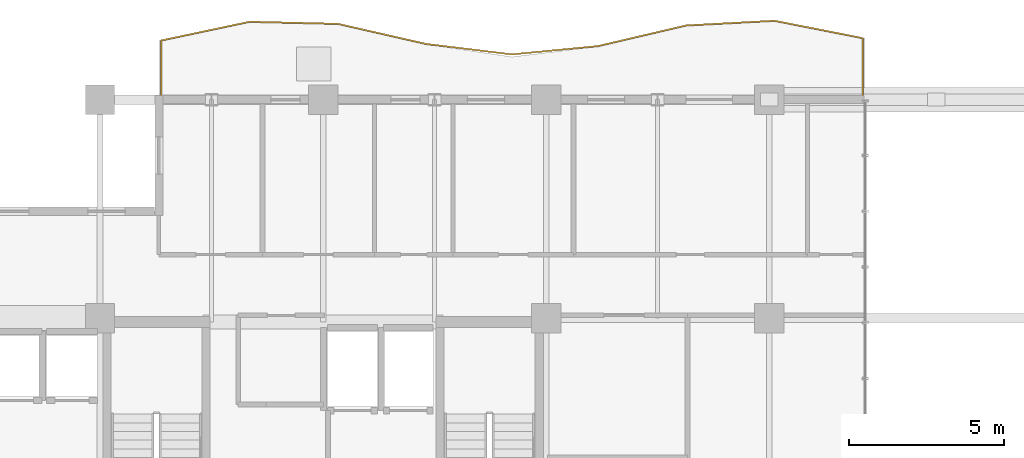
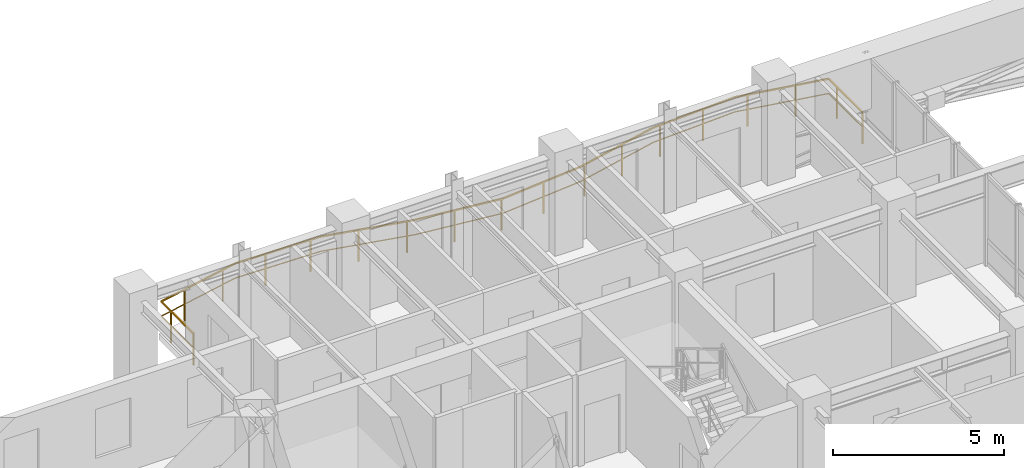
# One storey, part 23 of 23: 1 railing.
"""IFC4 building model written with IfcOpenShell, lengths in metres."""

from ifc_helpers import new_model, si_unit, direction, frame, origin, origin_2d, place, context, subcontext, project, spatial, rectangle, extrude, material, type_object, element, save


model = new_model("IFC4")

# Units and contexts
model_context = context("Model", 3, precision=1e-05, world=origin(), true_north=direction((0.0, 1.0)))
body_context = subcontext(model_context, "Body", "Model", "MODEL_VIEW")
ifc_project = project(units=[si_unit("LENGTHUNIT", "METRE"), si_unit("AREAUNIT", "SQUARE_METRE"), si_unit("VOLUMEUNIT", "CUBIC_METRE"), si_unit("PLANEANGLEUNIT", "RADIAN"), si_unit("MASSUNIT", "GRAM", prefix="KILO")], contexts=[model_context])

# Site, building, storey
site_placement = place(None, origin())
site = spatial("IfcSite", under=ifc_project, at=site_placement, CompositionType="ELEMENT")
building_placement = place(site_placement, origin())
building = spatial("IfcBuilding", under=site, at=building_placement, Name="Kaliganga Portal Commons", CompositionType="ELEMENT")
storey_placement = place(building_placement, frame((0.0, 0.0, 246.199951171875)))
storey = spatial("IfcBuildingStorey", under=building, at=storey_placement, Name="L63", CompositionType="ELEMENT", Elevation=246.199951171875)

# Railing
ifc_material = material(Name="Laminated Safety Glass and Stainless Steel 316", Category="steel")
railing_type = type_object("IfcRailingType", Name="RLG-BAL-1150", PredefinedType="BALUSTRADE", material=ifc_material)
railing_placement = place(storey_placement, frame((39.02099609375, 43.2119140625, 0.0)))
element("IfcRailing", 1, at=railing_placement, inside=storey, type_object=railing_type, Name="Balcony Guardrail L63 balc_north", PredefinedType="BALUSTRADE", context=body_context, shape_type="SweptSolid", body=[
    extrude(rectangle(XDim=0.048095703125, YDim=0.048095703125, at=origin_2d()), frame((0.0, 0.0, 1.1259765625), z_axis=(-0.000493949063, 0.999999878007, 0.0), x_axis=(-0.999999878007, -0.000493949063, 0.0)), (0.0, 0.0, 1.0), 1.97705078125),
    extrude(rectangle(XDim=0.028076171875, YDim=0.028076171875, at=origin_2d()), frame((0.0, 0.0, 0.597900390625), z_axis=(-0.000493949063, 0.999999878007, 0.0), x_axis=(-0.999999878007, -0.000493949063, 0.0)), (0.0, 0.0, 1.0), 1.97705078125),
    extrude(rectangle(XDim=0.048095703125, YDim=0.048095703125, at=origin_2d()), frame((-0.0009765625, 1.97705078125, 1.1259765625), z_axis=(-0.981212461594, 0.192930311802, 0.0), x_axis=(-0.192930311802, -0.981212461594, 0.0)), (0.0, 0.0, 1.0), 2.904052734375),
    extrude(rectangle(XDim=0.028076171875, YDim=0.028076171875, at=origin_2d()), frame((-0.0009765625, 1.97705078125, 0.597900390625), z_axis=(-0.981212461594, 0.192930311802, 0.0), x_axis=(-0.192930311802, -0.981212461594, 0.0)), (0.0, 0.0, 1.0), 2.904052734375),
    extrude(rectangle(XDim=0.048095703125, YDim=0.048095703125, at=origin_2d()), frame((-2.8505859375, 2.537353515625, 1.1259765625), z_axis=(-0.998596955064, -0.052953954869, 0.0), x_axis=(0.052953954869, -0.998596955064, 0.0)), (0.0, 0.0, 1.0), 2.853759765625),
    extrude(rectangle(XDim=0.028076171875, YDim=0.028076171875, at=origin_2d()), frame((-2.8505859375, 2.537353515625, 0.597900390625), z_axis=(-0.998596955064, -0.052953954869, 0.0), x_axis=(0.052953954869, -0.998596955064, 0.0)), (0.0, 0.0, 1.0), 2.853759765625),
    extrude(rectangle(XDim=0.048095703125, YDim=0.048095703125, at=origin_2d()), frame((-5.700439453125, 2.38623046875, 1.1259765625), z_axis=(-0.973682273044, -0.227909699574, 0.0), x_axis=(0.227909699574, -0.973682273044, 0.0)), (0.0, 0.0, 1.0), 2.927734375),
    extrude(rectangle(XDim=0.028076171875, YDim=0.028076171875, at=origin_2d()), frame((-5.700439453125, 2.38623046875, 0.597900390625), z_axis=(-0.973682273044, -0.227909699574, 0.0), x_axis=(0.227909699574, -0.973682273044, 0.0)), (0.0, 0.0, 1.0), 2.927734375),
    extrude(rectangle(XDim=0.048095703125, YDim=0.048095703125, at=origin_2d()), frame((-8.551025390625, 1.718994140625, 1.1259765625), z_axis=(-0.995358420766, -0.096237280767, 0.0), x_axis=(0.096237280767, -0.995358420766, 0.0)), (0.0, 0.0, 1.0), 2.782958984375),
    extrude(rectangle(XDim=0.028076171875, YDim=0.028076171875, at=origin_2d()), frame((-8.551025390625, 1.718994140625, 0.597900390625), z_axis=(-0.995358420766, -0.096237280767, 0.0), x_axis=(0.096237280767, -0.995358420766, 0.0)), (0.0, 0.0, 1.0), 2.782958984375),
    extrude(rectangle(XDim=0.048095703125, YDim=0.048095703125, at=origin_2d()), frame((-11.321044921875, 1.451171875, 1.1259765625), z_axis=(-0.992684291103, 0.120738967189, 0.0), x_axis=(-0.120738967189, -0.992684291103, 0.0)), (0.0, 0.0, 1.0), 2.79052734375),
    extrude(rectangle(XDim=0.028076171875, YDim=0.028076171875, at=origin_2d()), frame((-11.321044921875, 1.451171875, 0.597900390625), z_axis=(-0.992684291103, 0.120738967189, 0.0), x_axis=(-0.120738967189, -0.992684291103, 0.0)), (0.0, 0.0, 1.0), 2.79052734375),
    extrude(rectangle(XDim=0.048095703125, YDim=0.048095703125, at=origin_2d()), frame((-14.091064453125, 1.7880859375, 1.1259765625), z_axis=(-0.974999794973, 0.222205760057, 0.0), x_axis=(-0.222205760057, -0.974999794973, 0.0)), (0.0, 0.0, 1.0), 2.923583984375),
    extrude(rectangle(XDim=0.028076171875, YDim=0.028076171875, at=origin_2d()), frame((-14.091064453125, 1.7880859375, 0.597900390625), z_axis=(-0.974999794973, 0.222205760057, 0.0), x_axis=(-0.222205760057, -0.974999794973, 0.0)), (0.0, 0.0, 1.0), 2.923583984375),
    extrude(rectangle(XDim=0.048095703125, YDim=0.048095703125, at=origin_2d()), frame((-16.941650390625, 2.437744140625, 1.1259765625), z_axis=(-0.999720590512, 0.023637700932, 0.0), x_axis=(-0.023637700932, -0.999720590512, 0.0)), (0.0, 0.0, 1.0), 2.8505859375),
    extrude(rectangle(XDim=0.028076171875, YDim=0.028076171875, at=origin_2d()), frame((-16.941650390625, 2.437744140625, 0.597900390625), z_axis=(-0.999720590512, 0.023637700932, 0.0), x_axis=(-0.023637700932, -0.999720590512, 0.0)), (0.0, 0.0, 1.0), 2.8505859375),
    extrude(rectangle(XDim=0.048095703125, YDim=0.048095703125, at=origin_2d()), frame((-19.79150390625, 2.505126953125, 1.1259765625), z_axis=(-0.978283075582, -0.207273307566, 0.0), x_axis=(0.207273307566, -0.978283075582, 0.0)), (0.0, 0.0, 1.0), 2.912841796875),
    extrude(rectangle(XDim=0.028076171875, YDim=0.028076171875, at=origin_2d()), frame((-19.79150390625, 2.505126953125, 0.597900390625), z_axis=(-0.978283075582, -0.207273307566, 0.0), x_axis=(0.207273307566, -0.978283075582, 0.0)), (0.0, 0.0, 1.0), 2.912841796875),
    extrude(rectangle(XDim=0.048095703125, YDim=0.048095703125, at=origin_2d()), frame((-22.64111328125, 1.9013671875, 1.1259765625), z_axis=(-0.000385207984, -0.999999925807, 0.0), x_axis=(0.999999925807, -0.000385207984, 0.0)), (0.0, 0.0, 1.0), 1.9013671875),
    extrude(rectangle(XDim=0.028076171875, YDim=0.028076171875, at=origin_2d()), frame((-22.64111328125, 1.9013671875, 0.597900390625), z_axis=(-0.000385207984, -0.999999925807, 0.0), x_axis=(0.999999925807, -0.000385207984, 0.0)), (0.0, 0.0, 1.0), 1.9013671875),
    extrude(rectangle(XDim=0.0419921875, YDim=0.0419921875, at=origin_2d()), origin(), (0.0, 0.0, 1.0), 1.101806640625),
    extrude(rectangle(XDim=0.0419921875, YDim=0.0419921875, at=origin_2d()), frame((-0.000732421875, 1.5, 0.0)), (0.0, 0.0, 1.0), 1.101806640625),
    extrude(rectangle(XDim=0.0419921875, YDim=0.0419921875, at=origin_2d()), frame((-1.004638671875, 2.17431640625, 0.0)), (0.0, 0.0, 1.0), 1.101806640625),
    extrude(rectangle(XDim=0.0419921875, YDim=0.0419921875, at=origin_2d()), frame((-2.4765625, 2.4638671875, 0.0)), (0.0, 0.0, 1.0), 1.101806640625),
    extrude(rectangle(XDim=0.0419921875, YDim=0.0419921875, at=origin_2d()), frame((-3.9677734375, 2.47802734375, 0.0)), (0.0, 0.0, 1.0), 1.101806640625),
    extrude(rectangle(XDim=0.0419921875, YDim=0.0419921875, at=origin_2d()), frame((-5.465576171875, 2.398681640625, 0.0)), (0.0, 0.0, 1.0), 1.101806640625),
    extrude(rectangle(XDim=0.0419921875, YDim=0.0419921875, at=origin_2d()), frame((-6.93212890625, 2.097900390625, 0.0)), (0.0, 0.0, 1.0), 1.101806640625),
    extrude(rectangle(XDim=0.0419921875, YDim=0.0419921875, at=origin_2d()), frame((-8.392578125, 1.756103515625, 0.0)), (0.0, 0.0, 1.0), 1.101806640625),
    extrude(rectangle(XDim=0.0419921875, YDim=0.0419921875, at=origin_2d()), frame((-9.882080078125, 1.59033203125, 0.0)), (0.0, 0.0, 1.0), 1.101806640625),
    extrude(rectangle(XDim=0.0419921875, YDim=0.0419921875, at=origin_2d()), frame((-11.375, 1.457763671875, 0.0)), (0.0, 0.0, 1.0), 1.101806640625),
    extrude(rectangle(XDim=0.0419921875, YDim=0.0419921875, at=origin_2d()), frame((-12.864013671875, 1.638916015625, 0.0)), (0.0, 0.0, 1.0), 1.101806640625),
    extrude(rectangle(XDim=0.0419921875, YDim=0.0419921875, at=origin_2d()), frame((-14.348388671875, 1.8466796875, 0.0)), (0.0, 0.0, 1.0), 1.101806640625),
    extrude(rectangle(XDim=0.0419921875, YDim=0.0419921875, at=origin_2d()), frame((-15.810791015625, 2.179931640625, 0.0)), (0.0, 0.0, 1.0), 1.101806640625),
    extrude(rectangle(XDim=0.0419921875, YDim=0.0419921875, at=origin_2d()), frame((-17.28173828125, 2.44580078125, 0.0)), (0.0, 0.0, 1.0), 1.101806640625),
    extrude(rectangle(XDim=0.0419921875, YDim=0.0419921875, at=origin_2d()), frame((-18.781494140625, 2.481201171875, 0.0)), (0.0, 0.0, 1.0), 1.101806640625),
    extrude(rectangle(XDim=0.0419921875, YDim=0.0419921875, at=origin_2d()), frame((-20.2705078125, 2.403564453125, 0.0)), (0.0, 0.0, 1.0), 1.101806640625),
    extrude(rectangle(XDim=0.0419921875, YDim=0.0419921875, at=origin_2d()), frame((-21.73779296875, 2.0927734375, 0.0)), (0.0, 0.0, 1.0), 1.101806640625),
    extrude(rectangle(XDim=0.0419921875, YDim=0.0419921875, at=origin_2d()), frame((-22.641357421875, 1.32470703125, 0.0)), (0.0, 0.0, 1.0), 1.101806640625),
    extrude(rectangle(XDim=0.0419921875, YDim=0.0419921875, at=origin_2d()), frame((-22.641845703125, 0.0, 0.0)), (0.0, 0.0, 1.0), 1.101806640625),
])

save(model, "model.ifc")
